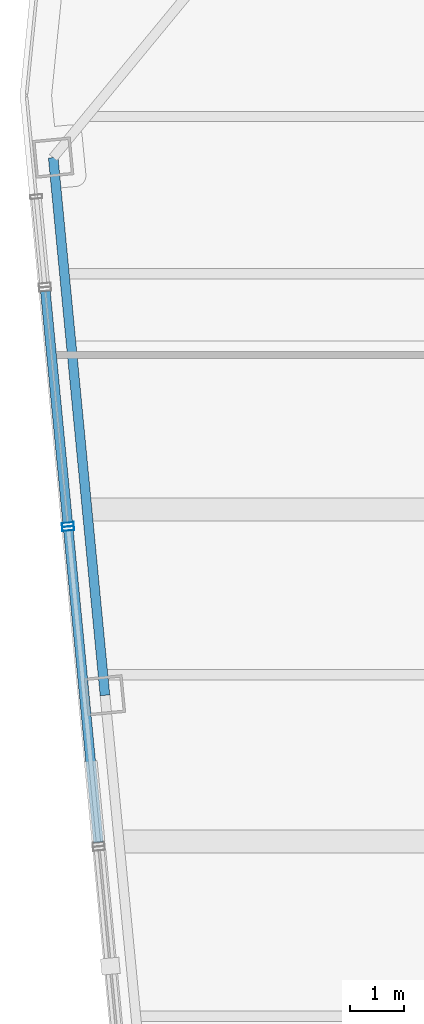
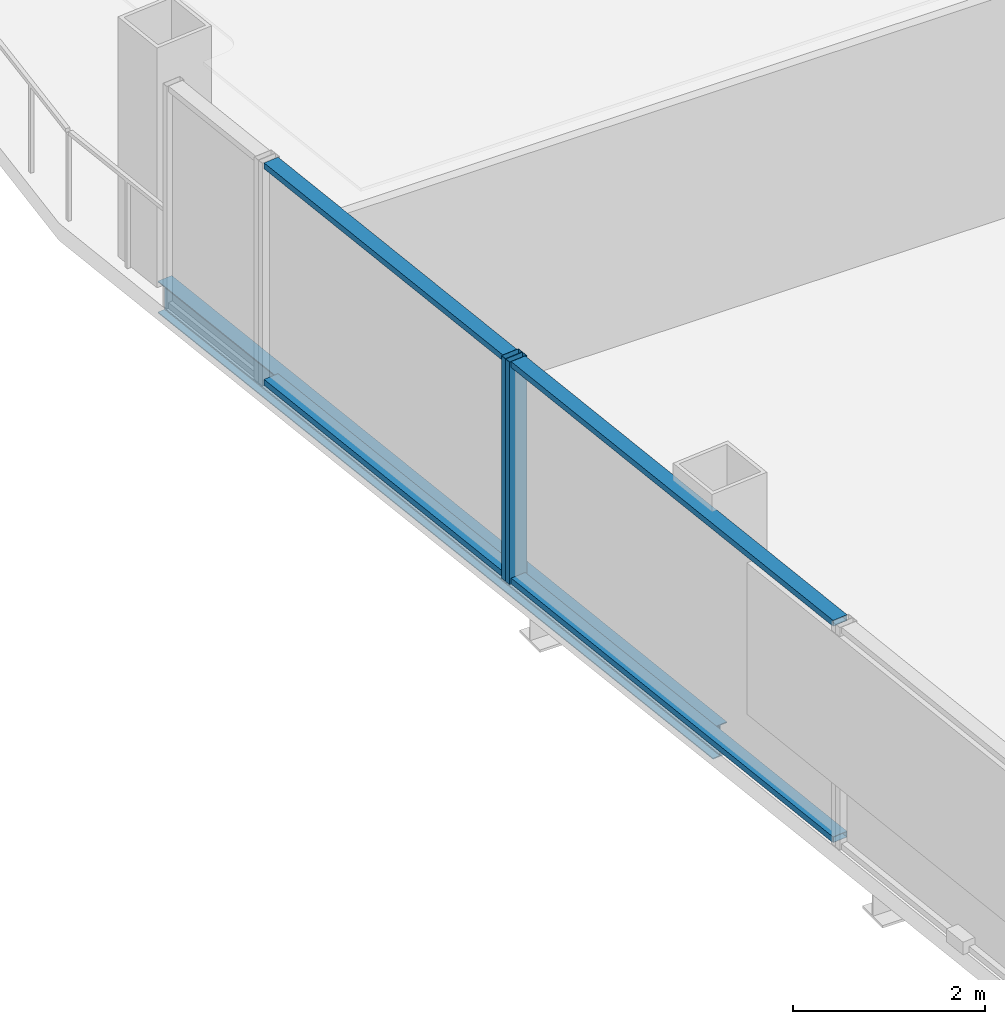
# One storey, part 7 of 22: 6 members, 1 beam, 2 elements without a shape of their own.
"""IFC4 building model written with IfcOpenShell, lengths in metres."""

from ifc_helpers import new_model, si_unit, direction, frame, origin, origin_2d, place, context, subcontext, project, spatial, hollow_rectangle, i_section, extrude, material, layer, layer_set, material_profile, profile_set, type_object, element, aggregate, save


model = new_model("IFC4")

# Units and contexts
model_context = context("Model", 3, precision=1e-05, world=origin(), true_north=direction((0.0, 1.0)))
body_context = subcontext(model_context, "Body", "Model", "MODEL_VIEW")
ifc_project = project(units=[si_unit("LENGTHUNIT", "METRE"), si_unit("AREAUNIT", "SQUARE_METRE"), si_unit("VOLUMEUNIT", "CUBIC_METRE"), si_unit("PLANEANGLEUNIT", "RADIAN"), si_unit("MASSUNIT", "GRAM", prefix="KILO")], contexts=[model_context])

# Site, building, storey
site_placement = place(None, origin())
site = spatial("IfcSite", under=ifc_project, at=site_placement, CompositionType="ELEMENT")
building_placement = place(site_placement, origin())
building = spatial("IfcBuilding", under=site, at=building_placement, Name="Qhalaya Broadcast Tower", CompositionType="ELEMENT")
storey_placement = place(building_placement, frame((0.0, 0.0, 171.39990234375)))
storey = spatial("IfcBuildingStorey", under=building, at=storey_placement, Name="L50", CompositionType="ELEMENT", Elevation=171.39990234375)

# Curtain wall, member
ifc_material_1 = material(Name="Solar-Control Low-E Triple Glazing", Category="glass")
ifc_layer_1 = layer(ifc_material_1, 0.219970703125, Name="Solar-Control Low-E Triple Glazing")
ifc_layer_set_1 = layer_set([ifc_layer_1], Name="Solar-Control Low-E Triple Glazing")
curtain_wall_type_1 = type_object("IfcCurtainWallType", Name="Even-Block 4-Storey Double-Module Curtain Wall CW-03", PredefinedType="NOTDEFINED", material=ifc_layer_set_1)
curtain_wall_1_placement = place(storey_placement, origin())
curtain_wall_1 = element("IfcCurtainWall", 1, at=curtain_wall_1_placement, inside=storey, type_object=curtain_wall_type_1, Name="L50 Unitised Curtain Wall L50-CW-W2", PredefinedType="NOTDEFINED")
ifc_material_2 = material(Name="Anodised Aluminium 6063-T6", Category="aluminium")
ifc_material_profile_1 = material_profile(ifc_material_2, hollow_rectangle(XDim=0.074951171875, YDim=0.219970703125, WallThickness=0.00390625, at=origin_2d()), Name="ALU-MUL 75x220x4")
ifc_profile_set_1 = profile_set([ifc_material_profile_1], Name="Anodised Aluminium 6063-T6")
member_type_1 = type_object("IfcMemberType", Name="Unitised Curtain-Wall Mullion M01", PredefinedType="MULLION", material=ifc_profile_set_1)
member_1_placement = place(storey_placement, frame((-25.2578125, 9.672119140625, 0.0), z_axis=(0.0, 0.0, 1.0), x_axis=(0.095830074124, -0.9953977079, 0.0)))
member_1 = element("IfcMember", 2, at=member_1_placement, type_object=member_type_1, Name="CW-03 mullion 2", PredefinedType="MULLION", context=body_context, shape_type="SweptSolid", body=[
    extrude(hollow_rectangle(XDim=0.074951171875, YDim=0.219970703125, WallThickness=0.00390625, at=origin_2d()), origin(), (0.0, 0.0, 1.0), 2.830078125),
])

ifc_material_3 = material(Name="Fired Architectural Terracotta", Category="masonry")
ifc_layer_2 = layer(ifc_material_3, 0.219970703125, Name="Fired Architectural Terracotta")
ifc_layer_set_2 = layer_set([ifc_layer_2], Name="Fired Architectural Terracotta")
curtain_wall_type_2 = type_object("IfcCurtainWallType", Name="Block-Cap Unitised Terracotta Spandrel Wall CW-07", PredefinedType="NOTDEFINED", material=ifc_layer_set_2)
curtain_wall_2_placement = place(storey_placement, origin())
curtain_wall_2 = element("IfcCurtainWall", 3, at=curtain_wall_2_placement, inside=storey, type_object=curtain_wall_type_2, Name="L50 Unitised Curtain Wall L50-CW-W3", PredefinedType="NOTDEFINED")
member_2_placement = place(storey_placement, frame((-25.25048828125, 9.597412109375, 0.0), z_axis=(0.0, 0.0, 1.0), x_axis=(0.095850920361, -0.995395700747, 0.0)))
member_2 = element("IfcMember", 4, at=member_2_placement, type_object=member_type_1, Name="CW-07 mullion 1", PredefinedType="MULLION", context=body_context, shape_type="SweptSolid", body=[
    extrude(hollow_rectangle(XDim=0.074951171875, YDim=0.219970703125, WallThickness=0.00390625, at=origin_2d()), origin(), (0.0, 0.0, 1.0), 2.830078125),
])

# Member
ifc_material_profile_2 = material_profile(ifc_material_2, hollow_rectangle(XDim=0.074951171875, YDim=0.179931640625, WallThickness=0.00390625, at=origin_2d()), Name="ALU-TRN 75x180x4")
ifc_profile_set_2 = profile_set([ifc_material_profile_2], Name="Anodised Aluminium 6063-T6")
member_type_2 = type_object("IfcMemberType", Name="Unitised Curtain-Wall Transom T01", PredefinedType="USERDEFINED", material=ifc_profile_set_2)
member_3_placement = place(storey_placement, frame((-25.672119140625, 13.976806640625, 0.03759765625), z_axis=(0.095787280324, -0.995401826866, 0.0), x_axis=(0.0, 0.0, 1.0)))
member_3 = element("IfcMember", 5, at=member_3_placement, type_object=member_type_2, Name="CW-03 transom 1.1", ObjectType="TRANSOM", PredefinedType="USERDEFINED", context=body_context, shape_type="SweptSolid", body=[
    extrude(hollow_rectangle(XDim=0.074951171875, YDim=0.179931640625, WallThickness=0.00390625, at=origin_2d()), origin(), (0.0, 0.0, 1.0), 4.287109375),
])

member_4_placement = place(storey_placement, frame((-25.672119140625, 13.976806640625, 2.79248046875), z_axis=(0.095787280324, -0.995401826866, 0.0), x_axis=(0.0, 0.0, 1.0)))
member_4 = element("IfcMember", 6, at=member_4_placement, type_object=member_type_2, Name="CW-03 transom 1.2", ObjectType="TRANSOM", PredefinedType="USERDEFINED", context=body_context, shape_type="SweptSolid", body=[
    extrude(hollow_rectangle(XDim=0.074951171875, YDim=0.179931640625, WallThickness=0.00390625, at=origin_2d()), origin(), (0.0, 0.0, 1.0), 4.287109375),
])

aggregate(curtain_wall_1, [member_1, member_3, member_4])

member_5_placement = place(storey_placement, frame((-25.2470703125, 9.56005859375, 0.03759765625), z_axis=(0.095859722495, -0.995394853113, 0.0), x_axis=(0.0, 0.0, 1.0)))
member_5 = element("IfcMember", 7, at=member_5_placement, type_object=member_type_2, Name="CW-07 transom 1.1", ObjectType="TRANSOM", PredefinedType="USERDEFINED", context=body_context, shape_type="SweptSolid", body=[
    extrude(hollow_rectangle(XDim=0.074951171875, YDim=0.179931640625, WallThickness=0.00390625, at=origin_2d()), origin(), (0.0, 0.0, 1.0), 5.77880859375),
])

member_6_placement = place(storey_placement, frame((-25.2470703125, 9.56005859375, 2.79248046875), z_axis=(0.095859722495, -0.995394853113, 0.0), x_axis=(0.0, 0.0, 1.0)))
member_6 = element("IfcMember", 8, at=member_6_placement, type_object=member_type_2, Name="CW-07 transom 1.2", ObjectType="TRANSOM", PredefinedType="USERDEFINED", context=body_context, shape_type="SweptSolid", body=[
    extrude(hollow_rectangle(XDim=0.074951171875, YDim=0.179931640625, WallThickness=0.00390625, at=origin_2d()), origin(), (0.0, 0.0, 1.0), 5.77880859375),
])

aggregate(curtain_wall_2, [member_2, member_5, member_6])

# Beam
ifc_material_4 = material(Name="Structural Steel ASTM A992 Grade 50", Category="steel")
ifc_material_profile_3 = material_profile(ifc_material_4, i_section(OverallWidth=0.177978515625, OverallDepth=0.406005859375, WebThickness=0.0078125, FlangeThickness=0.0126953125, at=origin_2d()), Name="W16X40")
ifc_profile_set_3 = profile_set([ifc_material_profile_3], Name="Structural Steel ASTM A992 Grade 50")
beam_type = type_object("IfcBeamType", Name="Upper Perimeter Spandrel Beam SP2", PredefinedType="SPANDREL", material=ifc_profile_set_3)
beam_placement = place(storey_placement, frame((-25.52783203125, 16.44189453125, -0.4228515625), z_axis=(0.095852900965, -0.995395510024, 0.0), x_axis=(0.995395510024, 0.095852900965, 0.0)))
element("IfcBeam", 9, at=beam_placement, inside=storey, type_object=beam_type, Name="L50 SP2 L50-SPR-13", PredefinedType="SPANDREL", context=body_context, shape_type="SweptSolid", body=[
    extrude(i_section(OverallWidth=0.177978515625, OverallDepth=0.406005859375, WebThickness=0.0078125, FlangeThickness=0.0126953125, at=origin_2d()), origin(), (0.0, 0.0, 1.0), 9.966552734375),
])

save(model, "model.ifc")
